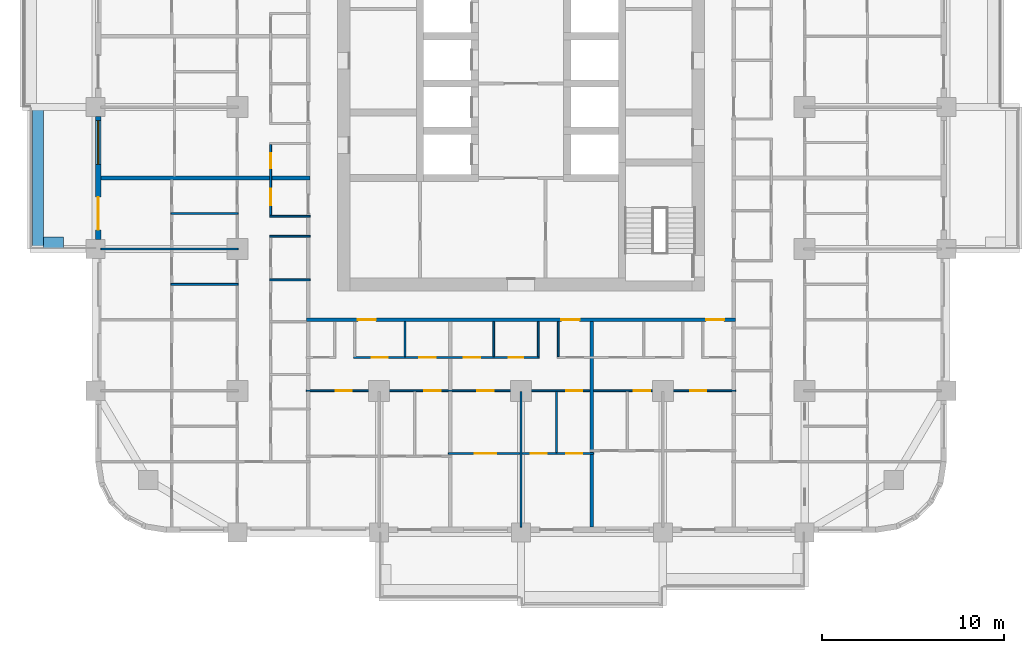
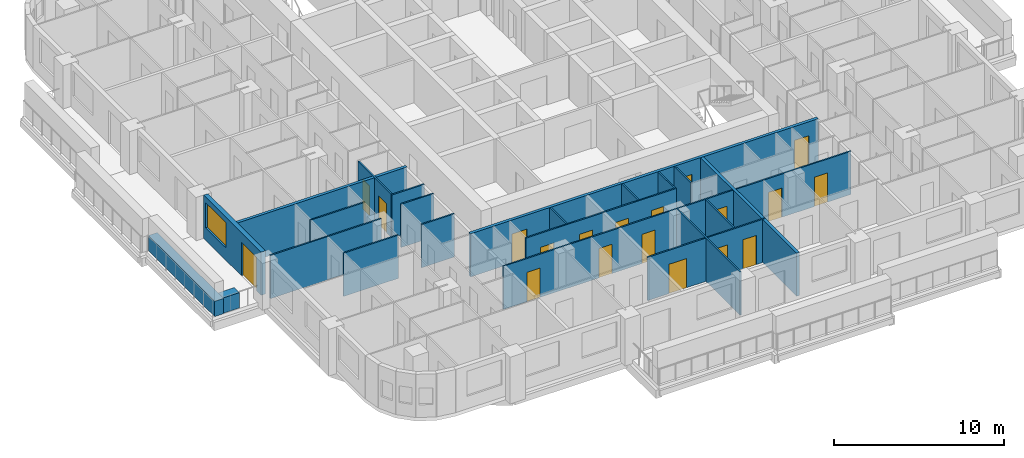
# One storey, part 4 of 17: 22 walls, 19 doors, 1 window, 20 openings.
"""IFC4 building model written with IfcOpenShell, lengths in metres."""

from ifc_helpers import new_model, si_unit, direction, frame, frame_2d, origin, place, context, subcontext, project, spatial, rectangle, extrude, material, layer, layer_set, type_object, element, fill, save


model = new_model("IFC4")

# Units and contexts
model_context = context("Model", 3, precision=1e-05, world=origin(), true_north=direction((0.0, 1.0)))
body_context = subcontext(model_context, "Body", "Model", "MODEL_VIEW")
ifc_project = project(units=[si_unit("LENGTHUNIT", "METRE"), si_unit("AREAUNIT", "SQUARE_METRE"), si_unit("VOLUMEUNIT", "CUBIC_METRE"), si_unit("PLANEANGLEUNIT", "RADIAN"), si_unit("MASSUNIT", "GRAM", prefix="KILO")], contexts=[model_context])

# Site, building, storey
site_placement = place(None, origin())
site = spatial("IfcSite", under=ifc_project, at=site_placement, CompositionType="ELEMENT")
building_placement = place(site_placement, origin())
building = spatial("IfcBuilding", under=site, at=building_placement, Name="Ludao Terraces", CompositionType="ELEMENT")
storey_placement = place(building_placement, frame((0.0, 0.0, 43.300048828125)))
storey = spatial("IfcBuildingStorey", under=building, at=storey_placement, Name="L11", CompositionType="ELEMENT", Elevation=43.300048828125)

# Walls
ifc_material_1 = material(Name="Concrete C40", Category="concrete")
ifc_layer_1 = layer(ifc_material_1, 0.60009765625)
ifc_layer_set_1 = layer_set([ifc_layer_1], Name="ENV Planter trough 600")
wall_type_1 = type_object("IfcWallType", Name="ENV Planter trough 600", PredefinedType="USERDEFINED", material=ifc_layer_set_1)
wall_1_placement = place(storey_placement, frame((58.449951171875, 57.199951171875, 0.0), z_axis=(0.0, 0.0, 1.0), x_axis=(0.0, 1.0, 0.0)))
element("IfcWall", 1, at=wall_1_placement, inside=storey, type_object=wall_type_1, Name="PL-L11-W2", ObjectType="PLANTER", PredefinedType="USERDEFINED", context=body_context, shape_type="SweptSolid", body=[
    extrude(rectangle(XDim=7.800048828125, YDim=0.60009765625, at=frame_2d((3.89990234375, 0.0))), origin(), (0.0, 0.0, 1.0), 1.099853515625),
])
wall_2_placement = place(storey_placement, frame((58.75, 57.550048828125, 0.0), z_axis=(0.0, 0.0, 1.0), x_axis=(1.0, 0.0, 0.0)))
element("IfcWall", 2, at=wall_2_placement, inside=storey, type_object=wall_type_1, Name="PL-L11-W2-SA", ObjectType="PLANTER", PredefinedType="USERDEFINED", context=body_context, shape_type="SweptSolid", body=[
    extrude(rectangle(XDim=1.10009765625, YDim=0.60009765625, at=frame_2d((0.550048828125, 0.0))), origin(), (0.0, 0.0, 1.0), 1.099853515625),
])

# Wall, openings, door, window
ifc_material_2 = material(Name="Granite cladding", Category="masonry")
ifc_layer_2 = layer(ifc_material_2, 0.0400390625, Category="stone")
ifc_material_3 = material(Name="Mineral wool")
ifc_layer_3 = layer(ifc_material_3, 0.06005859375)
ifc_layer_4 = layer(ifc_material_1, 0.199951171875, Category="concrete")
ifc_layer_set_2 = layer_set([ifc_layer_2, ifc_layer_3, ifc_layer_4], Name="ENV Stone-clad wall 300")
wall_type_2 = type_object("IfcWallType", Name="ENV Stone-clad wall 300", PredefinedType="SOLIDWALL", material=ifc_layer_set_2)
wall_3_placement = place(storey_placement, frame((61.75, 57.72509765625, 0.0), z_axis=(0.0, 0.0, 1.0), x_axis=(0.0, 1.0, 0.0)))
wall_3 = element("IfcWall", 3, at=wall_3_placement, inside=storey, type_object=wall_type_2, Name="EW-L11-W3", PredefinedType="SOLIDWALL", context=body_context, shape_type="SweptSolid", body=[
    extrude(rectangle(XDim=6.75, YDim=0.300048828125, at=frame_2d((3.375, 0.0))), origin(), (0.0, 0.0, 1.0), 3.099853515625),
])
opening_1_placement = place(wall_3_placement, frame((0.52490234375, 0.0, 0.0)))
opening_1 = element("IfcOpeningElement", 4, at=opening_1_placement, cuts=wall_3, Name="Opening BD", PredefinedType="OPENING", context=body_context, shape_type="SweptSolid", body=[
    extrude(rectangle(XDim=1.800048828125, YDim=2.39990234375, at=frame_2d((0.89990234375, 1.199951171875))), frame((0.0, 0.16015625, 0.0), z_axis=(0.0, -1.0, 0.0), x_axis=(1.0, 0.0, 0.0)), (0.0, 0.0, 1.0), 0.320068359375),
])
opening_2_placement = place(wall_3_placement, frame((4.125, 0.0, 0.89990234375)))
opening_2 = element("IfcOpeningElement", 5, at=opening_2_placement, cuts=wall_3, Name="Opening W1", PredefinedType="OPENING", context=body_context, shape_type="SweptSolid", body=[
    extrude(rectangle(XDim=2.39990234375, YDim=1.800048828125, at=frame_2d((1.199951171875, 0.89990234375))), frame((0.0, 0.16015625, 0.0), z_axis=(0.0, -1.0, 0.0), x_axis=(1.0, 0.0, 0.0)), (0.0, 0.0, 1.0), 0.320068359375),
])
ifc_material_4 = material(Name="Aluminium glazed door", Category="aluminium")
ifc_layer_5 = layer(ifc_material_4, 0.06005859375)
ifc_layer_set_3 = layer_set([ifc_layer_5], Name="ENV Balcony door BD 1800x2400")
door_type_1 = type_object("IfcDoorType", Name="ENV Balcony door BD 1800x2400", OperationType="DOUBLE_DOOR_SINGLE_SWING", PredefinedType="DOOR", material=ifc_layer_set_3)
door_1_placement = place(opening_1_placement, origin())
door_1 = element("IfcDoor", 6, at=door_1_placement, inside=storey, type_object=door_type_1, Name="BD-L11-W3-1", OperationType="DOUBLE_DOOR_SINGLE_SWING", OverallHeight=2.39990234375, OverallWidth=1.800048828125, PredefinedType="DOOR", context=body_context, shape_type="SweptSolid", body=[
    extrude(rectangle(XDim=1.800048828125, YDim=2.39990234375, at=frame_2d((0.89990234375, 1.199951171875))), frame((0.0, 0.02490234375, 0.0), z_axis=(0.0, -1.0, 0.0), x_axis=(1.0, 0.0, 0.0)), (0.0, 0.0, 1.0), 0.050048828125),
])
fill(opening_1, door_1)
ifc_material_5 = material(Name="Clear glass in aluminium frame", Category="aluminium")
ifc_layer_6 = layer(ifc_material_5, 0.06005859375)
ifc_layer_set_4 = layer_set([ifc_layer_6], Name="ENV Window W1 2400x1800")
window_type = type_object("IfcWindowType", Name="ENV Window W1 2400x1800", PartitioningType="DOUBLE_PANEL_VERTICAL", PredefinedType="WINDOW", material=ifc_layer_set_4)
window_placement = place(opening_2_placement, origin())
window = element("IfcWindow", 7, at=window_placement, inside=storey, type_object=window_type, Name="W-L11-W3-2", OverallHeight=1.800048828125, OverallWidth=2.39990234375, PartitioningType="DOUBLE_PANEL_VERTICAL", PredefinedType="WINDOW", context=body_context, shape_type="SweptSolid", body=[
    extrude(rectangle(XDim=2.39990234375, YDim=1.800048828125, at=frame_2d((1.199951171875, 0.89990234375))), frame((0.0, 0.030029296875, 0.0), z_axis=(0.0, -1.0, 0.0), x_axis=(1.0, 0.0, 0.0)), (0.0, 0.0, 1.0), 0.06005859375),
])
fill(opening_2, window)

# Wall, openings, doors
ifc_material_6 = material(Name="Autoclaved aerated concrete block B06 A3.5", Category="concrete")
ifc_layer_7 = layer(ifc_material_6, 0.199951171875)
ifc_layer_set_5 = layer_set([ifc_layer_7], Name="INT Entrance wall 200")
wall_type_3 = type_object("IfcWallType", Name="INT Entrance wall 200", PredefinedType="PARTITIONING", material=ifc_layer_set_5)
wall_4_placement = place(storey_placement, frame((73.2001953125, 53.300048828125, 0.0), z_axis=(0.0, 0.0, 1.0), x_axis=(1.0, 0.0, 0.0)))
wall_4 = element("IfcWall", 8, at=wall_4_placement, inside=storey, type_object=wall_type_3, Name="PW-L11-PW021", PredefinedType="PARTITIONING", context=body_context, shape_type="SweptSolid", body=[
    extrude(rectangle(XDim=23.599853515625, YDim=0.199951171875, at=frame_2d((11.7998046875, 0.0))), origin(), (0.0, 0.0, 1.0), 3.099853515625),
])
opening_3_placement = place(wall_4_placement, frame((2.824951171875, 0.0, 0.0)))
opening_3 = element("IfcOpeningElement", 9, at=opening_3_placement, cuts=wall_4, Name="Opening R03-047", PredefinedType="OPENING", context=body_context, shape_type="SweptSolid", body=[
    extrude(rectangle(XDim=1.0, YDim=2.10009765625, at=frame_2d((0.5, 1.050048828125))), frame((0.0, 0.10986328125, 0.0), z_axis=(0.0, -1.0, 0.0), x_axis=(1.0, 0.0, 0.0)), (0.0, 0.0, 1.0), 0.219970703125),
])
opening_4_placement = place(wall_4_placement, frame((14.02490234375, 0.0, 0.0)))
opening_4 = element("IfcOpeningElement", 10, at=opening_4_placement, cuts=wall_4, Name="Opening R03-048", PredefinedType="OPENING", context=body_context, shape_type="SweptSolid", body=[
    extrude(rectangle(XDim=1.0, YDim=2.10009765625, at=frame_2d((0.5, 1.050048828125))), frame((0.0, 0.10986328125, 0.0), z_axis=(0.0, -1.0, 0.0), x_axis=(1.0, 0.0, 0.0)), (0.0, 0.0, 1.0), 0.219970703125),
])
opening_5_placement = place(wall_4_placement, frame((21.974853515625, 0.0, 0.0)))
opening_5 = element("IfcOpeningElement", 11, at=opening_5_placement, cuts=wall_4, Name="Opening R03-049", PredefinedType="OPENING", context=body_context, shape_type="SweptSolid", body=[
    extrude(rectangle(XDim=1.0, YDim=2.10009765625, at=frame_2d((0.5, 1.050048828125))), frame((0.0, 0.10986328125, 0.0), z_axis=(0.0, -1.0, 0.0), x_axis=(1.0, 0.0, 0.0)), (0.0, 0.0, 1.0), 0.219970703125),
])
ifc_material_7 = material(Name="Steel Q235", Category="steel")
door_type_2 = type_object("IfcDoorType", Name="INT Flat entrance door 1000", OperationType="SINGLE_SWING_LEFT", PredefinedType="DOOR", material=ifc_material_7)
door_2_placement = place(opening_3_placement, origin())
door_2 = element("IfcDoor", 12, at=door_2_placement, inside=storey, type_object=door_type_2, Name="DOOR 047", OperationType="SINGLE_SWING_LEFT", OverallHeight=2.10009765625, OverallWidth=1.0, PredefinedType="DOOR", context=body_context, shape_type="SweptSolid", body=[
    extrude(rectangle(XDim=1.0, YDim=2.10009765625, at=frame_2d((0.5, 1.050048828125))), frame((0.0, 0.02490234375, 0.0), z_axis=(0.0, -1.0, 0.0), x_axis=(1.0, 0.0, 0.0)), (0.0, 0.0, 1.0), 0.050048828125),
])
fill(opening_3, door_2)
door_3_placement = place(opening_4_placement, origin())
door_3 = element("IfcDoor", 13, at=door_3_placement, inside=storey, type_object=door_type_2, Name="DOOR 048", OperationType="SINGLE_SWING_LEFT", OverallHeight=2.10009765625, OverallWidth=1.0, PredefinedType="DOOR", context=body_context, shape_type="SweptSolid", body=[
    extrude(rectangle(XDim=1.0, YDim=2.10009765625, at=frame_2d((0.5, 1.050048828125))), frame((0.0, 0.02490234375, 0.0), z_axis=(0.0, -1.0, 0.0), x_axis=(1.0, 0.0, 0.0)), (0.0, 0.0, 1.0), 0.050048828125),
])
fill(opening_4, door_3)
door_4_placement = place(opening_5_placement, origin())
door_4 = element("IfcDoor", 14, at=door_4_placement, inside=storey, type_object=door_type_2, Name="DOOR 049", OperationType="SINGLE_SWING_LEFT", OverallHeight=2.10009765625, OverallWidth=1.0, PredefinedType="DOOR", context=body_context, shape_type="SweptSolid", body=[
    extrude(rectangle(XDim=1.0, YDim=2.10009765625, at=frame_2d((0.5, 1.050048828125))), frame((0.0, 0.02490234375, 0.0), z_axis=(0.0, -1.0, 0.0), x_axis=(1.0, 0.0, 0.0)), (0.0, 0.0, 1.0), 0.050048828125),
])
fill(opening_5, door_4)

ifc_material_8 = material(Name="Gypsum plasterboard", Category="gypsum")
ifc_layer_8 = layer(ifc_material_8, 0.012451171875, Category="gypsum")
ifc_layer_9 = layer(ifc_material_3, 0.06005859375, Name="insulation")
ifc_layer_10 = layer(ifc_material_7, 0.014892578125, Name="stud")
ifc_layer_11 = layer(ifc_material_8, 0.012451171875, Category="gypsum")
ifc_layer_set_6 = layer_set([ifc_layer_8, ifc_layer_9, ifc_layer_10, ifc_layer_11], Name="INT Partition 100")
wall_type_4 = type_object("IfcWallType", Name="INT Partition 100", PredefinedType="PARTITIONING", material=ifc_layer_set_6)
wall_5_placement = place(storey_placement, frame((81.0, 45.949951171875, 0.0), z_axis=(0.0, 0.0, 1.0), x_axis=(1.0, 0.0, 0.0)))
wall_5 = element("IfcWall", 15, at=wall_5_placement, inside=storey, type_object=wall_type_4, Name="PW-L11-PW003", PredefinedType="PARTITIONING", context=body_context, shape_type="SweptSolid", body=[
    extrude(rectangle(XDim=8.0, YDim=0.10009765625, at=frame_2d((4.0, 0.0))), origin(), (0.0, 0.0, 1.0), 3.099853515625),
])
opening_6_placement = place(wall_5_placement, frame((1.4501953125, 0.0, 0.0)))
opening_6 = element("IfcOpeningElement", 16, at=opening_6_placement, cuts=wall_5, Name="Opening R03-010", PredefinedType="OPENING", context=body_context, shape_type="SweptSolid", body=[
    extrude(rectangle(XDim=1.199951171875, YDim=2.10009765625, at=frame_2d((0.60009765625, 1.050048828125))), frame((0.0, 0.06005859375, 0.0), z_axis=(0.0, -1.0, 0.0), x_axis=(1.0, 0.0, 0.0)), (0.0, 0.0, 1.0), 0.1201171875),
])
opening_7_placement = place(wall_5_placement, frame((4.525146484375, 0.0, 0.0)))
opening_7 = element("IfcOpeningElement", 17, at=opening_7_placement, cuts=wall_5, Name="Opening R03-011", PredefinedType="OPENING", context=body_context, shape_type="SweptSolid", body=[
    extrude(rectangle(XDim=0.89990234375, YDim=2.10009765625, at=frame_2d((0.449951171875, 1.050048828125))), frame((0.0, 0.06005859375, 0.0), z_axis=(0.0, -1.0, 0.0), x_axis=(1.0, 0.0, 0.0)), (0.0, 0.0, 1.0), 0.1201171875),
])
opening_8_placement = place(wall_5_placement, frame((6.47509765625, 0.0, 0.0)))
opening_8 = element("IfcOpeningElement", 18, at=opening_8_placement, cuts=wall_5, Name="Opening R03-012", PredefinedType="OPENING", context=body_context, shape_type="SweptSolid", body=[
    extrude(rectangle(XDim=0.89990234375, YDim=2.10009765625, at=frame_2d((0.449951171875, 1.050048828125))), frame((0.0, 0.06005859375, 0.0), z_axis=(0.0, -1.0, 0.0), x_axis=(1.0, 0.0, 0.0)), (0.0, 0.0, 1.0), 0.1201171875),
])
ifc_material_9 = material(Name="Timber door leaf", Category="wood")
door_type_3 = type_object("IfcDoorType", Name="INT Bathroom door 900", OperationType="SINGLE_SWING_LEFT", PredefinedType="DOOR", material=ifc_material_9)
door_5_placement = place(opening_7_placement, origin())
door_5 = element("IfcDoor", 19, at=door_5_placement, inside=storey, type_object=door_type_3, Name="DOOR 011", OperationType="SINGLE_SWING_RIGHT", OverallHeight=2.10009765625, OverallWidth=0.89990234375, PredefinedType="DOOR", context=body_context, shape_type="SweptSolid", body=[
    extrude(rectangle(XDim=0.89990234375, YDim=2.10009765625, at=frame_2d((0.449951171875, 1.050048828125))), frame((0.0, 0.02490234375, 0.0), z_axis=(0.0, -1.0, 0.0), x_axis=(1.0, 0.0, 0.0)), (0.0, 0.0, 1.0), 0.050048828125),
])
fill(opening_7, door_5)
door_type_4 = type_object("IfcDoorType", Name="INT Double door 1200", OperationType="DOUBLE_DOOR_SINGLE_SWING", PredefinedType="DOOR", material=ifc_material_9)
door_6_placement = place(opening_6_placement, origin())
door_6 = element("IfcDoor", 20, at=door_6_placement, inside=storey, type_object=door_type_4, Name="DOOR 010", OperationType="DOUBLE_DOOR_SINGLE_SWING", OverallHeight=2.10009765625, OverallWidth=1.199951171875, PredefinedType="DOOR", context=body_context, shape_type="SweptSolid", body=[
    extrude(rectangle(XDim=1.199951171875, YDim=2.10009765625, at=frame_2d((0.60009765625, 1.050048828125))), frame((0.0, 0.02490234375, 0.0), z_axis=(0.0, -1.0, 0.0), x_axis=(1.0, 0.0, 0.0)), (0.0, 0.0, 1.0), 0.050048828125),
])
fill(opening_6, door_6)
door_type_5 = type_object("IfcDoorType", Name="INT Room door 900", OperationType="SINGLE_SWING_LEFT", PredefinedType="DOOR", material=ifc_material_9)
door_7_placement = place(opening_8_placement, origin())
door_7 = element("IfcDoor", 21, at=door_7_placement, inside=storey, type_object=door_type_5, Name="DOOR 012", OperationType="SINGLE_SWING_RIGHT", OverallHeight=2.10009765625, OverallWidth=0.89990234375, PredefinedType="DOOR", context=body_context, shape_type="SweptSolid", body=[
    extrude(rectangle(XDim=0.89990234375, YDim=2.10009765625, at=frame_2d((0.449951171875, 1.050048828125))), frame((0.0, 0.02490234375, 0.0), z_axis=(0.0, -1.0, 0.0), x_axis=(1.0, 0.0, 0.0)), (0.0, 0.0, 1.0), 0.050048828125),
])
fill(opening_8, door_7)

wall_6_placement = place(storey_placement, frame((73.2001953125, 49.39990234375, 0.0), z_axis=(0.0, 0.0, 1.0), x_axis=(1.0, 0.0, 0.0)))
wall_6 = element("IfcWall", 22, at=wall_6_placement, inside=storey, type_object=wall_type_4, Name="PW-L11-PW010", PredefinedType="PARTITIONING", context=body_context, shape_type="SweptSolid", body=[
    extrude(rectangle(XDim=23.599853515625, YDim=0.10009765625, at=frame_2d((11.7998046875, 0.0))), origin(), (0.0, 0.0, 1.0), 3.099853515625),
])
opening_9_placement = place(wall_6_placement, frame((1.599853515625, 0.0, 0.0)))
opening_9 = element("IfcOpeningElement", 23, at=opening_9_placement, cuts=wall_6, Name="Opening R03-026", PredefinedType="OPENING", context=body_context, shape_type="SweptSolid", body=[
    extrude(rectangle(XDim=0.89990234375, YDim=2.10009765625, at=frame_2d((0.449951171875, 1.050048828125))), frame((0.0, 0.06005859375, 0.0), z_axis=(0.0, -1.0, 0.0), x_axis=(1.0, 0.0, 0.0)), (0.0, 0.0, 1.0), 0.1201171875),
])
opening_10_placement = place(wall_6_placement, frame((6.474853515625, 0.0, 0.0)))
opening_10 = element("IfcOpeningElement", 24, at=opening_10_placement, cuts=wall_6, Name="Opening R03-027", PredefinedType="OPENING", context=body_context, shape_type="SweptSolid", body=[
    extrude(rectangle(XDim=0.89990234375, YDim=2.10009765625, at=frame_2d((0.449951171875, 1.050048828125))), frame((0.0, 0.06005859375, 0.0), z_axis=(0.0, -1.0, 0.0), x_axis=(1.0, 0.0, 0.0)), (0.0, 0.0, 1.0), 0.1201171875),
])
opening_11_placement = place(wall_6_placement, frame((9.39990234375, 0.0, 0.0)))
opening_11 = element("IfcOpeningElement", 25, at=opening_11_placement, cuts=wall_6, Name="Opening R03-028", PredefinedType="OPENING", context=body_context, shape_type="SweptSolid", body=[
    extrude(rectangle(XDim=0.89990234375, YDim=2.10009765625, at=frame_2d((0.449951171875, 1.050048828125))), frame((0.0, 0.06005859375, 0.0), z_axis=(0.0, -1.0, 0.0), x_axis=(1.0, 0.0, 0.0)), (0.0, 0.0, 1.0), 0.1201171875),
])
opening_12_placement = place(wall_6_placement, frame((14.27490234375, 0.0, 0.0)))
opening_12 = element("IfcOpeningElement", 26, at=opening_12_placement, cuts=wall_6, Name="Opening R03-029", PredefinedType="OPENING", context=body_context, shape_type="SweptSolid", body=[
    extrude(rectangle(XDim=0.89990234375, YDim=2.10009765625, at=frame_2d((0.449951171875, 1.050048828125))), frame((0.0, 0.06005859375, 0.0), z_axis=(0.0, -1.0, 0.0), x_axis=(1.0, 0.0, 0.0)), (0.0, 0.0, 1.0), 0.1201171875),
])
opening_13_placement = place(wall_6_placement, frame((18.0, 0.0, 0.0)))
opening_13 = element("IfcOpeningElement", 27, at=opening_13_placement, cuts=wall_6, Name="Opening R03-030", PredefinedType="OPENING", context=body_context, shape_type="SweptSolid", body=[
    extrude(rectangle(XDim=0.89990234375, YDim=2.10009765625, at=frame_2d((0.449951171875, 1.050048828125))), frame((0.0, 0.06005859375, 0.0), z_axis=(0.0, -1.0, 0.0), x_axis=(1.0, 0.0, 0.0)), (0.0, 0.0, 1.0), 0.1201171875),
])
opening_14_placement = place(wall_6_placement, frame((21.099853515625, 0.0, 0.0)))
opening_14 = element("IfcOpeningElement", 28, at=opening_14_placement, cuts=wall_6, Name="Opening R03-031", PredefinedType="OPENING", context=body_context, shape_type="SweptSolid", body=[
    extrude(rectangle(XDim=0.89990234375, YDim=2.10009765625, at=frame_2d((0.449951171875, 1.050048828125))), frame((0.0, 0.06005859375, 0.0), z_axis=(0.0, -1.0, 0.0), x_axis=(1.0, 0.0, 0.0)), (0.0, 0.0, 1.0), 0.1201171875),
])
door_8_placement = place(opening_9_placement, origin())
door_8 = element("IfcDoor", 29, at=door_8_placement, inside=storey, type_object=door_type_5, Name="DOOR 026", OperationType="SINGLE_SWING_RIGHT", OverallHeight=2.10009765625, OverallWidth=0.89990234375, PredefinedType="DOOR", context=body_context, shape_type="SweptSolid", body=[
    extrude(rectangle(XDim=0.89990234375, YDim=2.10009765625, at=frame_2d((0.449951171875, 1.050048828125))), frame((0.0, 0.02490234375, 0.0), z_axis=(0.0, -1.0, 0.0), x_axis=(1.0, 0.0, 0.0)), (0.0, 0.0, 1.0), 0.050048828125),
])
fill(opening_9, door_8)
door_9_placement = place(opening_10_placement, origin())
door_9 = element("IfcDoor", 30, at=door_9_placement, inside=storey, type_object=door_type_5, Name="DOOR 027", OperationType="SINGLE_SWING_LEFT", OverallHeight=2.10009765625, OverallWidth=0.89990234375, PredefinedType="DOOR", context=body_context, shape_type="SweptSolid", body=[
    extrude(rectangle(XDim=0.89990234375, YDim=2.10009765625, at=frame_2d((0.449951171875, 1.050048828125))), frame((0.0, 0.02490234375, 0.0), z_axis=(0.0, -1.0, 0.0), x_axis=(1.0, 0.0, 0.0)), (0.0, 0.0, 1.0), 0.050048828125),
])
fill(opening_10, door_9)
door_10_placement = place(opening_11_placement, origin())
door_10 = element("IfcDoor", 31, at=door_10_placement, inside=storey, type_object=door_type_5, Name="DOOR 028", OperationType="SINGLE_SWING_LEFT", OverallHeight=2.10009765625, OverallWidth=0.89990234375, PredefinedType="DOOR", context=body_context, shape_type="SweptSolid", body=[
    extrude(rectangle(XDim=0.89990234375, YDim=2.10009765625, at=frame_2d((0.449951171875, 1.050048828125))), frame((0.0, 0.02490234375, 0.0), z_axis=(0.0, -1.0, 0.0), x_axis=(1.0, 0.0, 0.0)), (0.0, 0.0, 1.0), 0.050048828125),
])
fill(opening_11, door_10)
door_11_placement = place(opening_12_placement, origin())
door_11 = element("IfcDoor", 32, at=door_11_placement, inside=storey, type_object=door_type_5, Name="DOOR 029", OperationType="SINGLE_SWING_LEFT", OverallHeight=2.10009765625, OverallWidth=0.89990234375, PredefinedType="DOOR", context=body_context, shape_type="SweptSolid", body=[
    extrude(rectangle(XDim=0.89990234375, YDim=2.10009765625, at=frame_2d((0.449951171875, 1.050048828125))), frame((0.0, 0.02490234375, 0.0), z_axis=(0.0, -1.0, 0.0), x_axis=(1.0, 0.0, 0.0)), (0.0, 0.0, 1.0), 0.050048828125),
])
fill(opening_12, door_11)
door_12_placement = place(opening_13_placement, origin())
door_12 = element("IfcDoor", 33, at=door_12_placement, inside=storey, type_object=door_type_5, Name="DOOR 030", OperationType="SINGLE_SWING_RIGHT", OverallHeight=2.10009765625, OverallWidth=0.89990234375, PredefinedType="DOOR", context=body_context, shape_type="SweptSolid", body=[
    extrude(rectangle(XDim=0.89990234375, YDim=2.10009765625, at=frame_2d((0.449951171875, 1.050048828125))), frame((0.0, 0.02490234375, 0.0), z_axis=(0.0, -1.0, 0.0), x_axis=(1.0, 0.0, 0.0)), (0.0, 0.0, 1.0), 0.050048828125),
])
fill(opening_13, door_12)
door_13_placement = place(opening_14_placement, origin())
door_13 = element("IfcDoor", 34, at=door_13_placement, inside=storey, type_object=door_type_5, Name="DOOR 031", OperationType="SINGLE_SWING_LEFT", OverallHeight=2.10009765625, OverallWidth=0.89990234375, PredefinedType="DOOR", context=body_context, shape_type="SweptSolid", body=[
    extrude(rectangle(XDim=0.89990234375, YDim=2.10009765625, at=frame_2d((0.449951171875, 1.050048828125))), frame((0.0, 0.02490234375, 0.0), z_axis=(0.0, -1.0, 0.0), x_axis=(1.0, 0.0, 0.0)), (0.0, 0.0, 1.0), 0.050048828125),
])
fill(opening_14, door_13)

wall_7_placement = place(storey_placement, frame((75.800048828125, 51.22998046875, 0.0), z_axis=(0.0, 0.0, 1.0), x_axis=(1.0, 0.0, 0.0)))
wall_7 = element("IfcWall", 35, at=wall_7_placement, inside=storey, type_object=wall_type_4, Name="PW-L11-PW015", PredefinedType="PARTITIONING", context=body_context, shape_type="SweptSolid", body=[
    extrude(rectangle(XDim=10.199951171875, YDim=0.10009765625, at=frame_2d((5.10009765625, 0.0))), origin(), (0.0, 0.0, 1.0), 3.099853515625),
])
opening_15_placement = place(wall_7_placement, frame((0.985107421875, 0.0, 0.0)))
opening_15 = element("IfcOpeningElement", 36, at=opening_15_placement, cuts=wall_7, Name="Opening R03-033", PredefinedType="OPENING", context=body_context, shape_type="SweptSolid", body=[
    extrude(rectangle(XDim=0.89990234375, YDim=2.10009765625, at=frame_2d((0.449951171875, 1.050048828125))), frame((0.0, 0.06005859375, 0.0), z_axis=(0.0, -1.0, 0.0), x_axis=(1.0, 0.0, 0.0)), (0.0, 0.0, 1.0), 0.1201171875),
])
opening_16_placement = place(wall_7_placement, frame((3.610107421875, 0.0, 0.0)))
opening_16 = element("IfcOpeningElement", 37, at=opening_16_placement, cuts=wall_7, Name="Opening R03-034", PredefinedType="OPENING", context=body_context, shape_type="SweptSolid", body=[
    extrude(rectangle(XDim=0.89990234375, YDim=2.10009765625, at=frame_2d((0.449951171875, 1.050048828125))), frame((0.0, 0.06005859375, 0.0), z_axis=(0.0, -1.0, 0.0), x_axis=(1.0, 0.0, 0.0)), (0.0, 0.0, 1.0), 0.1201171875),
])
opening_17_placement = place(wall_7_placement, frame((6.050048828125, 0.0, 0.0)))
opening_17 = element("IfcOpeningElement", 38, at=opening_17_placement, cuts=wall_7, Name="Opening R03-035", PredefinedType="OPENING", context=body_context, shape_type="SweptSolid", body=[
    extrude(rectangle(XDim=0.89990234375, YDim=2.10009765625, at=frame_2d((0.449951171875, 1.050048828125))), frame((0.0, 0.06005859375, 0.0), z_axis=(0.0, -1.0, 0.0), x_axis=(1.0, 0.0, 0.0)), (0.0, 0.0, 1.0), 0.1201171875),
])
opening_18_placement = place(wall_7_placement, frame((8.52490234375, 0.0, 0.0)))
opening_18 = element("IfcOpeningElement", 39, at=opening_18_placement, cuts=wall_7, Name="Opening R03-036", PredefinedType="OPENING", context=body_context, shape_type="SweptSolid", body=[
    extrude(rectangle(XDim=0.800048828125, YDim=2.10009765625, at=frame_2d((0.39990234375, 1.050048828125))), frame((0.0, 0.06005859375, 0.0), z_axis=(0.0, -1.0, 0.0), x_axis=(1.0, 0.0, 0.0)), (0.0, 0.0, 1.0), 0.1201171875),
])
door_14_placement = place(opening_16_placement, origin())
door_14 = element("IfcDoor", 40, at=door_14_placement, inside=storey, type_object=door_type_3, Name="DOOR 034", OperationType="SINGLE_SWING_RIGHT", OverallHeight=2.10009765625, OverallWidth=0.89990234375, PredefinedType="DOOR", context=body_context, shape_type="SweptSolid", body=[
    extrude(rectangle(XDim=0.89990234375, YDim=2.10009765625, at=frame_2d((0.449951171875, 1.050048828125))), frame((0.0, 0.02490234375, 0.0), z_axis=(0.0, -1.0, 0.0), x_axis=(1.0, 0.0, 0.0)), (0.0, 0.0, 1.0), 0.050048828125),
])
fill(opening_16, door_14)
door_15_placement = place(opening_17_placement, origin())
door_15 = element("IfcDoor", 41, at=door_15_placement, inside=storey, type_object=door_type_3, Name="DOOR 035", OperationType="SINGLE_SWING_LEFT", OverallHeight=2.10009765625, OverallWidth=0.89990234375, PredefinedType="DOOR", context=body_context, shape_type="SweptSolid", body=[
    extrude(rectangle(XDim=0.89990234375, YDim=2.10009765625, at=frame_2d((0.449951171875, 1.050048828125))), frame((0.0, 0.02490234375, 0.0), z_axis=(0.0, -1.0, 0.0), x_axis=(1.0, 0.0, 0.0)), (0.0, 0.0, 1.0), 0.050048828125),
])
fill(opening_17, door_15)
door_16_placement = place(opening_15_placement, origin())
door_16 = element("IfcDoor", 42, at=door_16_placement, inside=storey, type_object=door_type_5, Name="DOOR 033", OperationType="SINGLE_SWING_LEFT", OverallHeight=2.10009765625, OverallWidth=0.89990234375, PredefinedType="DOOR", context=body_context, shape_type="SweptSolid", body=[
    extrude(rectangle(XDim=0.89990234375, YDim=2.10009765625, at=frame_2d((0.449951171875, 1.050048828125))), frame((0.0, 0.02490234375, 0.0), z_axis=(0.0, -1.0, 0.0), x_axis=(1.0, 0.0, 0.0)), (0.0, 0.0, 1.0), 0.050048828125),
])
fill(opening_15, door_16)
door_type_6 = type_object("IfcDoorType", Name="INT Store door 800", OperationType="SINGLE_SWING_LEFT", PredefinedType="DOOR", material=ifc_material_9)
door_17_placement = place(opening_18_placement, origin())
door_17 = element("IfcDoor", 43, at=door_17_placement, inside=storey, type_object=door_type_6, Name="DOOR 036", OperationType="SINGLE_SWING_RIGHT", OverallHeight=2.10009765625, OverallWidth=0.800048828125, PredefinedType="DOOR", context=body_context, shape_type="SweptSolid", body=[
    extrude(rectangle(XDim=0.800048828125, YDim=2.10009765625, at=frame_2d((0.39990234375, 1.050048828125))), frame((0.0, 0.02490234375, 0.0), z_axis=(0.0, -1.0, 0.0), x_axis=(1.0, 0.0, 0.0)), (0.0, 0.0, 1.0), 0.050048828125),
])
fill(opening_18, door_17)

# Walls
wall_8_placement = place(storey_placement, frame((65.75, 55.25, 0.0), z_axis=(0.0, 0.0, 1.0), x_axis=(1.0, 0.0, 0.0)))
element("IfcWall", 44, at=wall_8_placement, inside=storey, type_object=wall_type_4, Name="PW-L11-PW023", PredefinedType="PARTITIONING", context=body_context, shape_type="SweptSolid", body=[
    extrude(rectangle(XDim=3.7001953125, YDim=0.10009765625, at=frame_2d((1.85009765625, 0.0))), origin(), (0.0, 0.0, 1.0), 3.099853515625),
])
wall_9_placement = place(storey_placement, frame((71.18017578125, 55.5, 0.0), z_axis=(0.0, 0.0, 1.0), x_axis=(1.0, 0.0, 0.0)))
element("IfcWall", 45, at=wall_9_placement, inside=storey, type_object=wall_type_4, Name="PW-L11-PW026", PredefinedType="PARTITIONING", context=body_context, shape_type="SweptSolid", body=[
    extrude(rectangle(XDim=2.219970703125, YDim=0.10009765625, at=frame_2d((1.10986328125, 0.0))), origin(), (0.0, 0.0, 1.0), 3.099853515625),
])
wall_10_placement = place(storey_placement, frame((61.900146484375, 57.199951171875, 0.0), z_axis=(0.0, 0.0, 1.0), x_axis=(1.0, 0.0, 0.0)))
element("IfcWall", 46, at=wall_10_placement, inside=storey, type_object=wall_type_4, Name="PW-L11-PW028", PredefinedType="PARTITIONING", context=body_context, shape_type="SweptSolid", body=[
    extrude(rectangle(XDim=7.550048828125, YDim=0.10009765625, at=frame_2d((3.77490234375, 0.0))), origin(), (0.0, 0.0, 1.0), 3.099853515625),
])
for number, where, z_axis, x_axis, name in (
    (47, (71.18017578125, 57.89990234375, 0.0), (0.0, 0.0, 1.0), (1.0, 0.0, 0.0), "PW-L11-PW030"),
    (48, (71.18017578125, 59.0, 0.0), (0.0, 0.0, 1.0), (1.0, 0.0, 0.0), "PW-L11-PW031"),
):
    element("IfcWall", number, at=place(storey_placement, frame(where, z_axis=z_axis, x_axis=x_axis)), inside=storey, type_object=wall_type_4, Name=name, PredefinedType="PARTITIONING", context=body_context, shape_type="SweptSolid", body=[
        extrude(rectangle(XDim=2.219970703125, YDim=0.10009765625, at=frame_2d((1.10986328125, 0.0))), origin(), (0.0, 0.0, 1.0), 3.099853515625),
    ])
wall_11_placement = place(storey_placement, frame((65.75, 59.14990234375, 0.0), z_axis=(0.0, 0.0, 1.0), x_axis=(1.0, 0.0, 0.0)))
element("IfcWall", 49, at=wall_11_placement, inside=storey, type_object=wall_type_4, Name="PW-L11-PW032", PredefinedType="PARTITIONING", context=body_context, shape_type="SweptSolid", body=[
    extrude(rectangle(XDim=3.7001953125, YDim=0.10009765625, at=frame_2d((1.85009765625, 0.0))), origin(), (0.0, 0.0, 1.0), 3.099853515625),
])

# Wall, openings, doors
wall_12_placement = place(storey_placement, frame((71.22998046875, 59.050048828125, 0.0), z_axis=(0.0, 0.0, 1.0), x_axis=(0.0, 1.0, 0.0)))
wall_12 = element("IfcWall", 50, at=wall_12_placement, inside=storey, type_object=wall_type_4, Name="PW-L11-PW085", PredefinedType="PARTITIONING", context=body_context, shape_type="SweptSolid", body=[
    extrude(rectangle(XDim=3.900146484375, YDim=0.10009765625, at=frame_2d((1.9501953125, 0.0))), origin(), (0.0, 0.0, 1.0), 3.099853515625),
])
opening_19_placement = place(wall_12_placement, frame((0.550048828125, 0.0, 0.0)))
opening_19 = element("IfcOpeningElement", 51, at=opening_19_placement, cuts=wall_12, Name="Opening R03-068", PredefinedType="OPENING", context=body_context, shape_type="SweptSolid", body=[
    extrude(rectangle(XDim=0.89990234375, YDim=2.10009765625, at=frame_2d((0.449951171875, 1.050048828125))), frame((0.0, 0.06005859375, 0.0), z_axis=(0.0, -1.0, 0.0), x_axis=(1.0, 0.0, 0.0)), (0.0, 0.0, 1.0), 0.1201171875),
])
opening_20_placement = place(wall_12_placement, frame((2.60009765625, 0.0, 0.0)))
opening_20 = element("IfcOpeningElement", 52, at=opening_20_placement, cuts=wall_12, Name="Opening R03-075", PredefinedType="OPENING", context=body_context, shape_type="SweptSolid", body=[
    extrude(rectangle(XDim=0.800048828125, YDim=2.10009765625, at=frame_2d((0.39990234375, 1.050048828125))), frame((0.0, 0.06005859375, 0.0), z_axis=(0.0, -1.0, 0.0), x_axis=(1.0, 0.0, 0.0)), (0.0, 0.0, 1.0), 0.1201171875),
])
door_18_placement = place(opening_19_placement, origin())
door_18 = element("IfcDoor", 53, at=door_18_placement, inside=storey, type_object=door_type_5, Name="DOOR 068", OperationType="SINGLE_SWING_LEFT", OverallHeight=2.10009765625, OverallWidth=0.89990234375, PredefinedType="DOOR", context=body_context, shape_type="SweptSolid", body=[
    extrude(rectangle(XDim=0.89990234375, YDim=2.10009765625, at=frame_2d((0.449951171875, 1.050048828125))), frame((0.0, 0.02490234375, 0.0), z_axis=(0.0, -1.0, 0.0), x_axis=(1.0, 0.0, 0.0)), (0.0, 0.0, 1.0), 0.050048828125),
])
fill(opening_19, door_18)
door_19_placement = place(opening_20_placement, origin())
door_19 = element("IfcDoor", 54, at=door_19_placement, inside=storey, type_object=door_type_6, Name="DOOR 075", OperationType="SINGLE_SWING_RIGHT", OverallHeight=2.10009765625, OverallWidth=0.800048828125, PredefinedType="DOOR", context=body_context, shape_type="SweptSolid", body=[
    extrude(rectangle(XDim=0.800048828125, YDim=2.10009765625, at=frame_2d((0.39990234375, 1.050048828125))), frame((0.0, 0.02490234375, 0.0), z_axis=(0.0, -1.0, 0.0), x_axis=(1.0, 0.0, 0.0)), (0.0, 0.0, 1.0), 0.050048828125),
])
fill(opening_20, door_19)

# Walls
for number, where, z_axis, x_axis, name in (
    (55, (78.6201171875, 51.280029296875, 0.0), (0.0, 0.0, 1.0), (0.0, 1.0, 0.0), "PW-L11-PW096"),
    (56, (83.5, 51.280029296875, 0.0), (0.0, 0.0, 1.0), (0.0, 1.0, 0.0), "PW-L11-PW101"),
):
    element("IfcWall", number, at=place(storey_placement, frame(where, z_axis=z_axis, x_axis=x_axis)), inside=storey, type_object=wall_type_4, Name=name, PredefinedType="PARTITIONING", context=body_context, shape_type="SweptSolid", body=[
        extrude(rectangle(XDim=1.920166015625, YDim=0.10009765625, at=frame_2d((0.9599609375, 0.0))), origin(), (0.0, 0.0, 1.0), 3.099853515625),
    ])
wall_13_placement = place(storey_placement, frame((85.0, 41.900146484375, 0.0), z_axis=(0.0, 0.0, 1.0), x_axis=(0.0, 1.0, 0.0)))
element("IfcWall", 57, at=wall_13_placement, inside=storey, type_object=wall_type_4, Name="PW-L11-PW102", PredefinedType="PARTITIONING", context=body_context, shape_type="SweptSolid", body=[
    extrude(rectangle(XDim=7.449951171875, YDim=0.10009765625, at=frame_2d((3.72509765625, 0.0))), origin(), (0.0, 0.0, 1.0), 3.099853515625),
])
wall_14_placement = place(storey_placement, frame((85.949951171875, 51.280029296875, 0.0), z_axis=(0.0, 0.0, 1.0), x_axis=(0.0, 1.0, 0.0)))
element("IfcWall", 58, at=wall_14_placement, inside=storey, type_object=wall_type_4, Name="PW-L11-PW104", PredefinedType="PARTITIONING", context=body_context, shape_type="SweptSolid", body=[
    extrude(rectangle(XDim=1.920166015625, YDim=0.10009765625, at=frame_2d((0.9599609375, 0.0))), origin(), (0.0, 0.0, 1.0), 3.099853515625),
])
wall_15_placement = place(storey_placement, frame((86.949951171875, 46.0, 0.0), z_axis=(0.0, 0.0, 1.0), x_axis=(0.0, 1.0, 0.0)))
element("IfcWall", 59, at=wall_15_placement, inside=storey, type_object=wall_type_4, Name="PW-L11-PW106", PredefinedType="PARTITIONING", context=body_context, shape_type="SweptSolid", body=[
    extrude(rectangle(XDim=3.35009765625, YDim=0.10009765625, at=frame_2d((1.675048828125, 0.0))), origin(), (0.0, 0.0, 1.0), 3.099853515625),
])
wall_16_placement = place(storey_placement, frame((87.050048828125, 51.280029296875, 0.0), z_axis=(0.0, 0.0, 1.0), x_axis=(0.0, 1.0, 0.0)))
element("IfcWall", 60, at=wall_16_placement, inside=storey, type_object=wall_type_4, Name="PW-L11-PW107", PredefinedType="PARTITIONING", context=body_context, shape_type="SweptSolid", body=[
    extrude(rectangle(XDim=1.920166015625, YDim=0.10009765625, at=frame_2d((0.9599609375, 0.0))), origin(), (0.0, 0.0, 1.0), 3.099853515625),
])
ifc_layer_12 = layer(ifc_material_6, 0.199951171875)
ifc_layer_set_7 = layer_set([ifc_layer_12], Name="INT Party wall 200")
wall_type_5 = type_object("IfcWallType", Name="INT Party wall 200", PredefinedType="PARTITIONING", material=ifc_layer_set_7)
wall_17_placement = place(storey_placement, frame((61.900146484375, 61.10009765625, 0.0), z_axis=(0.0, 0.0, 1.0), x_axis=(1.0, 0.0, 0.0)))
element("IfcWall", 61, at=wall_17_placement, inside=storey, type_object=wall_type_5, Name="PW-L11-PW035", PredefinedType="PARTITIONING", context=body_context, shape_type="SweptSolid", body=[
    extrude(rectangle(XDim=11.5, YDim=0.199951171875, at=frame_2d((5.75, 0.0))), origin(), (0.0, 0.0, 1.0), 3.099853515625),
])
wall_18_placement = place(storey_placement, frame((88.89990234375, 41.900146484375, 0.0), z_axis=(0.0, 0.0, 1.0), x_axis=(0.0, 1.0, 0.0)))
element("IfcWall", 62, at=wall_18_placement, inside=storey, type_object=wall_type_5, Name="PW-L11-PW108", PredefinedType="PARTITIONING", context=body_context, shape_type="SweptSolid", body=[
    extrude(rectangle(XDim=11.300048828125, YDim=0.199951171875, at=frame_2d((5.64990234375, 0.0))), origin(), (0.0, 0.0, 1.0), 3.099853515625),
])

save(model, "model.ifc")
